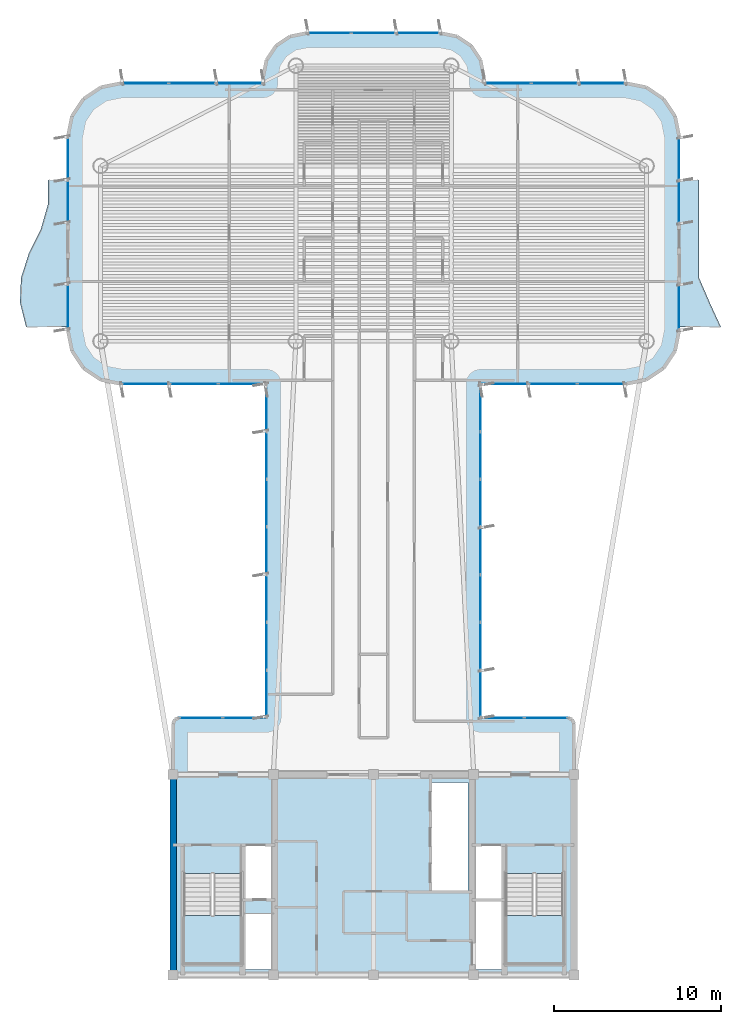
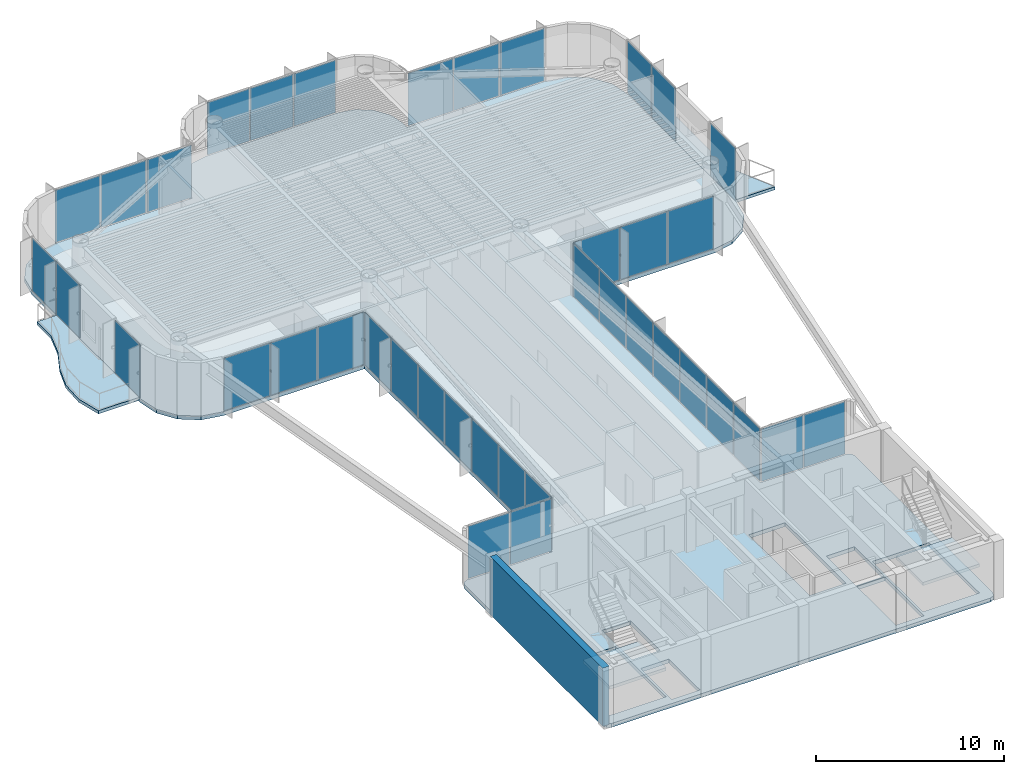
# One storey, part 9 of 16: 39 plates, 5 slabs, 1 wall, 15 elements without a shape of their own.
"""IFC4 building model written with IfcOpenShell, lengths in metres."""

import ifcopenshell
import ifcopenshell.guid

model = None  # the IFC model being written
_history = None  # IfcOwnerHistory: only IFC2X3 demands one
_inside = {}  # id of a spatial element -> (the spatial element, [elements in it])
_under = {}  # id of a project, library or spatial element -> (it, [spatial elements below it])
_declared = {}  # id of a project -> (the project, [libraries it declares])
_typed = {}  # id of a type object -> (the type object, [elements of that type])
_made_of = {}  # id of a material, layer set ... -> (it, [elements and type objects made of it])


def new_model(schema):
    """Start an empty IFC model of exactly this schema.

    Asked for "IFC4X3", IfcOpenShell would pick the latest addendum, in which some entities
    have other attributes; the version numbers below select the first issue.
    IFC2X3 requires an IfcOwnerHistory on every rooted entity: one is made here for all.
    """
    global model, _history
    if schema == "IFC4X3":
        model = ifcopenshell.file(schema_version=(4, 3, 0, 0))
    else:
        model = ifcopenshell.file(schema=schema)
    _inside.clear()
    _under.clear()
    _declared.clear()
    _typed.clear()
    _made_of.clear()
    _history = None
    if model.schema == "IFC2X3":
        org = make("IfcOrganization", Name="unknown")
        user = make(
            "IfcPersonAndOrganization",
            ThePerson=make("IfcPerson", FamilyName="unknown"),
            TheOrganization=org,
        )
        app = make(
            "IfcApplication",
            ApplicationDeveloper=org,
            Version="unknown",
            ApplicationFullName="unknown",
            ApplicationIdentifier="unknown",
        )
        _history = make(
            "IfcOwnerHistory",
            OwningUser=user,
            OwningApplication=app,
            ChangeAction="ADDED",
            CreationDate=0,
        )
    return model


def make(cls, **values):
    """One entity of the class cls with the attributes given. An attribute that is None is left unset."""
    return model.create_entity(
        cls, **{name: value for name, value in values.items() if value is not None}
    )


def rooted(cls, **values):
    """An entity with a GlobalId (a new one), such as an element, a storey or a relation."""
    return make(cls, GlobalId=ifcopenshell.guid.new(), OwnerHistory=_history, **values)


def si_unit(unit_type, name, prefix=None):
    """IfcSIUnit, for example si_unit("LENGTHUNIT", "METRE", prefix="MILLI")."""
    return make("IfcSIUnit", UnitType=unit_type, Prefix=prefix, Name=name)


def assignment(units):
    """IfcUnitAssignment: the units of a project."""
    return None if units is None else make("IfcUnitAssignment", Units=units)


def point(xyz):
    """IfcCartesianPoint."""
    return None if xyz is None else make("IfcCartesianPoint", Coordinates=xyz)


def direction(xyz):
    """IfcDirection."""
    return None if xyz is None else make("IfcDirection", DirectionRatios=xyz)


def frame(location, z_axis=None, x_axis=None):
    """IfcAxis2Placement3D, a coordinate frame: its origin and axes. An axis left out is left unset."""
    return make(
        "IfcAxis2Placement3D",
        Location=point(location),
        Axis=direction(z_axis),
        RefDirection=direction(x_axis),
    )


def frame_2d(location, x_axis=None):
    """IfcAxis2Placement2D, a coordinate frame in the plane: its origin and x axis."""
    return make(
        "IfcAxis2Placement2D", Location=point(location), RefDirection=direction(x_axis)
    )


def origin():
    """The frame at (0, 0, 0) with its axes left unset."""
    return frame((0.0, 0.0, 0.0))


def origin_2d():
    """The frame at (0, 0) in the plane with its x axis left unset."""
    return frame_2d((0.0, 0.0))


def place(relative_to, where):
    """IfcLocalPlacement: puts the frame where relative to a parent placement (None: the world)."""
    return make(
        "IfcLocalPlacement", PlacementRelTo=relative_to, RelativePlacement=where
    )


def context(
    kind, dimensions, precision=None, world=None, true_north=None, identifier=None
):
    """IfcGeometricRepresentationContext, for example the 3D "Model" context."""
    return make(
        "IfcGeometricRepresentationContext",
        ContextIdentifier=identifier,
        ContextType=kind,
        CoordinateSpaceDimension=dimensions,
        Precision=precision,
        WorldCoordinateSystem=world,
        TrueNorth=true_north,
    )


def subcontext(parent, identifier, kind, view, scale=None):
    """IfcGeometricRepresentationSubContext, for example "Body" below "Model"."""
    return make(
        "IfcGeometricRepresentationSubContext",
        ContextIdentifier=identifier,
        ContextType=kind,
        ParentContext=parent,
        TargetScale=scale,
        TargetView=view,
    )


def project(units=None, contexts=None):
    """IfcProject with its units and contexts."""
    return rooted(
        "IfcProject",
        Name="project",
        RepresentationContexts=contexts,
        UnitsInContext=assignment(units),
    )


def spatial(cls, under=None, at=None, **own):
    """A site, building, storey or space (cls), placed at a placement, below another one or the project."""
    s = rooted(cls, ObjectPlacement=at, **own)
    if under is not None:
        _under.setdefault(under.id(), (under, []))[1].append(s)
    return s


def polyline(points):
    """IfcPolyline through the points."""
    return make("IfcPolyline", Points=[point(p) for p in points])


def profile(cls, at=None, kind="AREA", **sizes):
    """A parametric profile (cls). Its sizes go by their IFC names, for example OverallWidth=200.0."""
    return make(cls, ProfileType=kind, Position=at, **sizes)


def rectangle(**sizes):
    """IfcRectangleProfileDef."""
    return profile("IfcRectangleProfileDef", **sizes)


def outline(outer, holes=None, kind="AREA"):
    """IfcArbitraryClosedProfileDef: a profile drawn as a closed curve; with holes, ...WithVoids."""
    if holes is None:
        return make("IfcArbitraryClosedProfileDef", ProfileType=kind, OuterCurve=outer)
    return make(
        "IfcArbitraryProfileDefWithVoids",
        ProfileType=kind,
        OuterCurve=outer,
        InnerCurves=holes,
    )


def extrude(swept, where, along, depth):
    """IfcExtrudedAreaSolid: the profile swept, set in the frame where, extruded along a direction by depth."""
    return make(
        "IfcExtrudedAreaSolid",
        SweptArea=swept,
        Position=where,
        ExtrudedDirection=direction(along),
        Depth=depth,
    )


def shape(context_of_items, identifier, shape_type, items):
    """IfcShapeRepresentation: the items that make up one representation, for example the "Body"."""
    return make(
        "IfcShapeRepresentation",
        ContextOfItems=context_of_items,
        RepresentationIdentifier=identifier,
        RepresentationType=shape_type,
        Items=items,
    )


def source(mapping_origin, context_of_items, identifier, shape_type, items):
    """IfcRepresentationMap: a shape defined once, which mapped items show again and again."""
    return make(
        "IfcRepresentationMap",
        MappingOrigin=mapping_origin,
        MappedRepresentation=shape(context_of_items, identifier, shape_type, items),
    )


def transform(
    local_origin,
    x_axis=None,
    y_axis=None,
    z_axis=None,
    scale=None,
    scale2=None,
    scale3=None,
    uniform=True,
):
    """IfcCartesianTransformationOperator3D, or its non-uniform kind. x_axis, y_axis, z_axis: its Axis1, 2, 3."""
    if uniform:
        return make(
            "IfcCartesianTransformationOperator3D",
            Axis1=direction(x_axis),
            Axis2=direction(y_axis),
            LocalOrigin=point(local_origin),
            Scale=scale,
            Axis3=direction(z_axis),
        )
    return make(
        "IfcCartesianTransformationOperator3DnonUniform",
        Axis1=direction(x_axis),
        Axis2=direction(y_axis),
        LocalOrigin=point(local_origin),
        Scale=scale,
        Axis3=direction(z_axis),
        Scale2=scale2,
        Scale3=scale3,
    )


def mapped(mapping_source, mapping_target):
    """IfcMappedItem: shows the shape of a source again, moved by a transform."""
    return make(
        "IfcMappedItem", MappingSource=mapping_source, MappingTarget=mapping_target
    )


def material(Name=None, Category=None):
    """IfcMaterial."""
    return make("IfcMaterial", Name=Name, Category=Category)


def layer(
    of_material, thickness, ventilated=None, Name=None, Category=None, Priority=None
):
    """IfcMaterialLayer: one layer of a wall or slab, of a material (None: an air gap)."""
    return make(
        "IfcMaterialLayer",
        Material=of_material,
        LayerThickness=thickness,
        IsVentilated=ventilated,
        Name=Name,
        Category=Category,
        Priority=Priority,
    )


def layer_set(layers, Name=None):
    """IfcMaterialLayerSet."""
    return make("IfcMaterialLayerSet", MaterialLayers=layers, LayerSetName=Name)


def made_of(thing, what):
    """Note that an element or type object is made of a material, layer set ...; save() writes the relation."""
    if what is not None:
        _made_of.setdefault(what.id(), (what, []))[1].append(thing)
    return thing


def type_object(cls, material=None, **own):
    """A type object (cls), such as IfcWallType, which elements share."""
    return made_of(rooted(cls, **own), material)


def element(
    cls,
    number,
    at=None,
    inside=None,
    cuts=None,
    type_object=None,
    material=None,
    context=None,
    identifier="Body",
    shape_type=None,
    held_by="IfcProductDefinitionShape",
    body=None,
    shapes=None,
    **own,
):
    """One element of the class cls, such as IfcWall. Its Tag is "e" and its number.

    at: its placement. inside: the storey or other place that contains it. cuts: it is an
    opening in that element (IfcRelVoidsElement). A single representation is given by context,
    identifier, shape_type and body (its items); several are given by shapes. held_by: the class
    of the entity that holds the representations. save() writes the other relations.
    """
    e = rooted(cls, Tag="e%d" % number, ObjectPlacement=at, **own)
    if body is not None:
        shapes = [shape(context, identifier, shape_type, body)]
    if shapes is not None:
        e.Representation = make(held_by, Representations=shapes)
    if inside is not None:
        _inside.setdefault(inside.id(), (inside, []))[1].append(e)
    if cuts is not None:
        rooted(
            "IfcRelVoidsElement", RelatingBuildingElement=cuts, RelatedOpeningElement=e
        )
    if type_object is not None:
        _typed.setdefault(type_object.id(), (type_object, []))[1].append(e)
    return made_of(e, material)


def aggregate(whole, parts):
    """IfcRelAggregates: a whole, such as a stair, and the parts it consists of."""
    return rooted("IfcRelAggregates", RelatingObject=whole, RelatedObjects=parts)


def save(model, path):
    """Write the relations noted so far, then the file.

    IfcRelAggregates (storeys below a building ...), IfcRelContainedInSpatialStructure (elements
    in a storey), IfcRelDefinesByType, IfcRelAssociatesMaterial and IfcRelDeclares: one each for
    every whole, place, type object, material and project.
    """
    for whole, parts in _under.values():
        aggregate(whole, parts)
    for where, things in _inside.values():
        rooted(
            "IfcRelContainedInSpatialStructure",
            RelatedElements=things,
            RelatingStructure=where,
        )
    for kind, things in _typed.values():
        rooted("IfcRelDefinesByType", RelatedObjects=things, RelatingType=kind)
    for what, things in _made_of.values():
        rooted("IfcRelAssociatesMaterial", RelatedObjects=things, RelatingMaterial=what)
    for by, libraries in _declared.values():
        rooted("IfcRelDeclares", RelatingContext=by, RelatedDefinitions=libraries)
    model.write(path)


model = new_model("IFC4")

# Units and contexts
model_context = context("Model", 3, precision=1e-05, world=origin(), true_north=direction((0.0, 1.0)))
body_context = subcontext(model_context, "Body", "Model", "MODEL_VIEW")
ifc_project = project(units=[si_unit("LENGTHUNIT", "METRE"), si_unit("AREAUNIT", "SQUARE_METRE"), si_unit("VOLUMEUNIT", "CUBIC_METRE"), si_unit("PLANEANGLEUNIT", "RADIAN"), si_unit("MASSUNIT", "GRAM", prefix="KILO")], contexts=[model_context])

# Site, building, storey
site_placement = place(None, origin())
site = spatial("IfcSite", under=ifc_project, at=site_placement, CompositionType="ELEMENT")
building_placement = place(site_placement, origin())
building = spatial("IfcBuilding", under=site, at=building_placement, Name="Brelvock Crest Care Tower", CompositionType="ELEMENT")
storey_placement = place(building_placement, frame((0.0, 0.0, 238.139892578125)))
storey = spatial("IfcBuildingStorey", under=building, at=storey_placement, Name="L60", CompositionType="ELEMENT", Elevation=238.139892578125)

# Slabs
ifc_material_1 = material(Name="Concrete N50 (50 MPa)", Category="concrete")
ifc_layer_1 = layer(ifc_material_1, 0.25, Name="SLB-FL3")
ifc_layer_set_1 = layer_set([ifc_layer_1], Name="Concrete N50 (50 MPa)")
slab_type_1 = type_object("IfcSlabType", Name="SLB-FL3", PredefinedType="FLOOR", material=ifc_layer_set_1)
slab_1_placement = place(storey_placement, frame((0.0, 0.0, -0.25)))
element("IfcSlab", 1, at=slab_1_placement, inside=storey, type_object=slab_type_1, Name="L60 Main Structural Slab", PredefinedType="FLOOR", context=body_context, shape_type="SweptSolid", body=[
    extrude(outline(polyline([(47.64990234375, 21.39990234375), (42.39990234375, 21.39990234375), (42.39990234375, 41.39990234375), (51.10009765625, 41.39990234375), (52.32470703125, 41.6435546875), (53.36279296875, 42.33740234375), (54.056396484375, 43.37548828125), (54.300048828125, 44.60009765625), (54.300048828125, 56.199951171875), (54.056396484375, 57.424560546875), (53.36279296875, 58.462646484375), (52.32470703125, 59.156494140625), (51.10009765625, 59.39990234375), (42.60009765625, 59.39990234375), (42.60009765625, 59.800048828125), (42.402099609375, 60.794921875), (41.83837890625, 61.638427734375), (40.9951171875, 62.2021484375), (40.0, 62.39990234375), (32.0, 62.39990234375), (31.0048828125, 62.2021484375), (30.16162109375, 61.638427734375), (29.597900390625, 60.794921875), (29.39990234375, 59.800048828125), (29.39990234375, 59.39990234375), (20.89990234375, 59.39990234375), (19.67529296875, 59.156494140625), (18.63720703125, 58.462646484375), (17.943603515625, 57.424560546875), (17.699951171875, 56.199951171875), (17.699951171875, 44.60009765625), (17.943603515625, 43.37548828125), (18.63720703125, 42.33740234375), (19.67529296875, 41.6435546875), (20.89990234375, 41.39990234375), (29.60009765625, 41.39990234375), (29.60009765625, 21.39990234375), (24.35009765625, 21.39990234375), (24.1025390625, 21.297607421875), (24.0, 21.050048828125), (24.0, 6.35009765625), (24.1025390625, 6.1025390625), (24.35009765625, 6.0), (47.64990234375, 6.0), (47.8974609375, 6.1025390625), (48.0, 6.35009765625), (48.0, 21.050048828125), (47.8974609375, 21.297607421875), (47.64990234375, 21.39990234375)]), holes=[polyline([(28.239990234375, 10.580078125), (29.97998046875, 10.580078125), (29.97998046875, 13.739990234375), (28.239990234375, 13.739990234375), (28.239990234375, 10.580078125)]), polyline([(42.02001953125, 10.580078125), (43.760009765625, 10.580078125), (43.760009765625, 13.739990234375), (42.02001953125, 13.739990234375), (42.02001953125, 10.580078125)]), polyline([(28.239990234375, 6.340087890625), (29.97998046875, 6.340087890625), (29.97998046875, 9.64990234375), (28.239990234375, 9.64990234375), (28.239990234375, 6.340087890625)]), polyline([(24.6298828125, 12.080078125), (24.6298828125, 6.699951171875), (28.110107421875, 6.699951171875), (28.110107421875, 12.080078125), (24.6298828125, 12.080078125)]), polyline([(43.889892578125, 12.080078125), (43.889892578125, 6.699951171875), (47.3701171875, 6.699951171875), (47.3701171875, 12.080078125), (43.889892578125, 12.080078125)]), polyline([(42.02001953125, 6.340087890625), (43.760009765625, 6.340087890625), (43.760009765625, 10.5), (42.02001953125, 10.5), (42.02001953125, 6.340087890625)]), polyline([(39.429931640625, 11.030029296875), (41.669921875, 11.030029296875), (41.669921875, 17.52001953125), (39.429931640625, 17.52001953125), (39.429931640625, 11.030029296875)])]), origin(), (0.0, 0.0, 1.0), 0.25),
])
ifc_layer_2 = layer(ifc_material_1, 0.199951171875, Name="SLB-WB2")
ifc_layer_set_2 = layer_set([ifc_layer_2], Name="Concrete N50 (50 MPa)")
slab_type_2 = type_object("IfcSlabType", Name="SLB-WB2", PredefinedType="FLOOR", material=ifc_layer_set_2)
slab_2_placement = place(storey_placement, frame((0.0, 0.0, -0.199951171875)))
element("IfcSlab", 2, at=slab_2_placement, inside=storey, type_object=slab_type_2, Name="L60 W Sinusoidal Wave Balcony Slab", PredefinedType="FLOOR", context=body_context, shape_type="SweptSolid", body=[
    extrude(outline(polyline([(17.699951171875, 53.60009765625), (16.5, 53.60009765625), (16.5, 52.13330078125), (16.079345703125, 50.666748046875), (15.3564453125, 49.199951171875), (14.8896484375, 47.7333984375), (14.82958984375, 46.2666015625), (15.1953125, 44.800048828125), (17.699951171875, 44.800048828125), (17.699951171875, 53.60009765625)])), origin(), (0.0, 0.0, 1.0), 0.199951171875),
])
slab_3_placement = place(storey_placement, frame((0.0, 0.0, -0.199951171875)))
element("IfcSlab", 3, at=slab_3_placement, inside=storey, type_object=slab_type_2, Name="L60 E Sinusoidal Wave Balcony Slab", PredefinedType="FLOOR", context=body_context, shape_type="SweptSolid", body=[
    extrude(outline(polyline([(54.300048828125, 44.800048828125), (56.8046875, 44.800048828125), (56.130615234375, 46.2666015625), (55.5, 47.7333984375), (55.5, 49.199951171875), (55.5, 50.666748046875), (55.5, 52.13330078125), (55.5, 53.60009765625), (54.300048828125, 53.60009765625), (54.300048828125, 44.800048828125)])), origin(), (0.0, 0.0, 1.0), 0.199951171875),
])

# Stair, slab
ifc_material_2 = material(Name="Concrete N40 (40 MPa)", Category="concrete")
stair_type = type_object("IfcStairType", Name="ST-CORE1", PredefinedType="HALF_TURN_STAIR", material=ifc_material_2)
stair_1_placement = place(storey_placement, origin())
stair_1 = element("IfcStair", 4, at=stair_1_placement, inside=storey, type_object=stair_type, Name="L60 Fire-Isolated Core Stair ST-1", PredefinedType="HALF_TURN_STAIR")
ifc_layer_3 = layer(ifc_material_2, 0.199951171875, Name="STL-1")
ifc_layer_set_3 = layer_set([ifc_layer_3], Name="Concrete N40 (40 MPa)")
slab_type_3 = type_object("IfcSlabType", Name="STL-1", PredefinedType="LANDING", material=ifc_layer_set_3)
slab_4_placement = place(storey_placement, frame((0.0, 0.0, 1.690185546875)))
slab_4 = element("IfcSlab", 5, at=slab_4_placement, type_object=slab_type_3, Name="ST-1 landing 1", PredefinedType="LANDING", context=body_context, shape_type="SweptSolid", body=[
    extrude(outline(polyline([(24.6298828125, 9.56005859375), (24.6298828125, 6.699951171875), (28.110107421875, 6.699951171875), (28.110107421875, 9.56005859375), (24.6298828125, 9.56005859375)])), origin(), (0.0, 0.0, 1.0), 0.199951171875),
])
aggregate(stair_1, [slab_4])

stair_2_placement = place(storey_placement, origin())
stair_2 = element("IfcStair", 6, at=stair_2_placement, inside=storey, type_object=stair_type, Name="L60 Fire-Isolated Core Stair ST-2", PredefinedType="HALF_TURN_STAIR")
slab_5_placement = place(storey_placement, frame((0.0, 0.0, 1.690185546875)))
slab_5 = element("IfcSlab", 7, at=slab_5_placement, type_object=slab_type_3, Name="ST-2 landing 1", PredefinedType="LANDING", context=body_context, shape_type="SweptSolid", body=[
    extrude(outline(polyline([(43.889892578125, 9.56005859375), (43.889892578125, 6.699951171875), (47.3701171875, 6.699951171875), (47.3701171875, 9.56005859375), (43.889892578125, 9.56005859375)])), origin(), (0.0, 0.0, 1.0), 0.199951171875),
])
aggregate(stair_2, [slab_5])

# Curtain wall, plates
ifc_material_3 = material(Name="Dark Glass Double Glazed Low-E", Category="glass")
ifc_layer_4 = layer(ifc_material_3, 0.239990234375, Name="CWS-5")
ifc_layer_set_4 = layer_set([ifc_layer_4], Name="Dark Glass Double Glazed Low-E")
curtain_wall_type = type_object("IfcCurtainWallType", Name="CWS-5", PredefinedType="NOTDEFINED", material=ifc_layer_set_4)
curtain_wall_1_placement = place(storey_placement, origin())
curtain_wall_1 = element("IfcCurtainWall", 8, at=curtain_wall_1_placement, inside=storey, type_object=curtain_wall_type, Name="L60 Curtain Wall E10", PredefinedType="NOTDEFINED")
ifc_layer_5 = layer(ifc_material_3, 0.0380859375, Name="CWP-V2")
ifc_layer_set_5 = layer_set([ifc_layer_5], Name="Dark Glass Double Glazed Low-E")
plate_type = type_object("IfcPlateType", Name="CWP-V2", PredefinedType="CURTAIN_PANEL", material=ifc_layer_set_5)
shared_shape_1 = source(origin(), body_context, "Body", "SweptSolid", [
    extrude(rectangle(XDim=2.534912109375, YDim=0.035888671875, at=origin_2d()), origin(), (0.0, 0.0, 1.0), 3.409912109375),
])
plate_1_placement = place(storey_placement, frame((25.677490234375, 21.39990234375, 0.06005859375), z_axis=(0.0, 0.0, 1.0), x_axis=(1.0, 0.0, 0.0)))
plate_1 = element("IfcPlate", 9, at=plate_1_placement, type_object=plate_type, Name="CW-5 panel 1.1", PredefinedType="CURTAIN_PANEL", context=body_context, shape_type="MappedRepresentation", body=[
    mapped(shared_shape_1, transform((0.0, 0.0, 0.0), x_axis=(1.0, 0.0, 0.0), y_axis=(0.0, 1.0, 0.0), z_axis=(0.0, 0.0, 1.0), scale=1.0)),
])
plate_2_placement = place(storey_placement, frame((28.2724609375, 21.39990234375, 0.06005859375), z_axis=(0.0, 0.0, 1.0), x_axis=(1.0, 0.0, 0.0)))
plate_2 = element("IfcPlate", 10, at=plate_2_placement, type_object=plate_type, Name="CW-5 panel 2.1", PredefinedType="CURTAIN_PANEL", context=body_context, shape_type="MappedRepresentation", body=[
    mapped(shared_shape_1, transform((0.0, 0.0, 0.0), x_axis=(1.0, 0.0, 0.0), y_axis=(0.0, 1.0, 0.0), z_axis=(0.0, 0.0, 1.0), scale=1.0)),
])
aggregate(curtain_wall_1, [plate_1, plate_2])

curtain_wall_2_placement = place(storey_placement, origin())
curtain_wall_2 = element("IfcCurtainWall", 11, at=curtain_wall_2_placement, inside=storey, type_object=curtain_wall_type, Name="L60 Curtain Wall E46", PredefinedType="NOTDEFINED")
plate_3_placement = place(storey_placement, frame((43.7275390625, 21.39990234375, 0.06005859375), z_axis=(0.0, 0.0, 1.0), x_axis=(1.0, 0.0, 0.0)))
plate_3 = element("IfcPlate", 12, at=plate_3_placement, type_object=plate_type, Name="CW-5 panel 1.1", PredefinedType="CURTAIN_PANEL", context=body_context, shape_type="MappedRepresentation", body=[
    mapped(shared_shape_1, transform((0.0, 0.0, 0.0), x_axis=(1.0, 0.0, 0.0), y_axis=(0.0, 1.0, 0.0), z_axis=(0.0, 0.0, 1.0), scale=1.0)),
])
plate_4_placement = place(storey_placement, frame((46.322509765625, 21.39990234375, 0.06005859375), z_axis=(0.0, 0.0, 1.0), x_axis=(1.0, 0.0, 0.0)))
plate_4 = element("IfcPlate", 13, at=plate_4_placement, type_object=plate_type, Name="CW-5 panel 2.1", PredefinedType="CURTAIN_PANEL", context=body_context, shape_type="MappedRepresentation", body=[
    mapped(shared_shape_1, transform((0.0, 0.0, 0.0), x_axis=(1.0, 0.0, 0.0), y_axis=(0.0, 1.0, 0.0), z_axis=(0.0, 0.0, 1.0), scale=1.0)),
])
aggregate(curtain_wall_2, [plate_3, plate_4])

curtain_wall_3_placement = place(storey_placement, origin())
curtain_wall_3 = element("IfcCurtainWall", 14, at=curtain_wall_3_placement, inside=storey, type_object=curtain_wall_type, Name="L60 Curtain Wall E17B", PredefinedType="NOTDEFINED")
shared_shape_2 = source(origin(), body_context, "Body", "SweptSolid", [
    extrude(rectangle(XDim=2.510009765625, YDim=0.035888671875, at=origin_2d()), origin(), (0.0, 0.0, 1.0), 3.409912109375),
])
plate_5_placement = place(storey_placement, frame((17.699951171875, 52.31494140625, 0.06005859375), z_axis=(0.0, 0.0, 1.0), x_axis=(0.0, 1.0, 0.0)))
plate_5 = element("IfcPlate", 15, at=plate_5_placement, type_object=plate_type, Name="CW-5 panel 1.1", PredefinedType="CURTAIN_PANEL", context=body_context, shape_type="MappedRepresentation", body=[
    mapped(shared_shape_2, transform((0.0, 0.0, 0.0), x_axis=(1.0, 0.0, 0.0), y_axis=(0.0, 1.0, 0.0), z_axis=(0.0, 0.0, 1.0), scale=1.0)),
])
plate_6_placement = place(storey_placement, frame((17.699951171875, 54.885009765625, 0.06005859375), z_axis=(0.0, 0.0, 1.0), x_axis=(0.0, 1.0, 0.0)))
plate_6 = element("IfcPlate", 16, at=plate_6_placement, type_object=plate_type, Name="CW-5 panel 2.1", PredefinedType="CURTAIN_PANEL", context=body_context, shape_type="MappedRepresentation", body=[
    mapped(shared_shape_2, transform((0.0, 0.0, 0.0), x_axis=(1.0, 0.0, 0.0), y_axis=(0.0, 1.0, 0.0), z_axis=(0.0, 0.0, 1.0), scale=1.0)),
])
aggregate(curtain_wall_3, [plate_5, plate_6])

curtain_wall_4_placement = place(storey_placement, origin())
curtain_wall_4 = element("IfcCurtainWall", 17, at=curtain_wall_4_placement, inside=storey, type_object=curtain_wall_type, Name="L60 Curtain Wall E39A", PredefinedType="NOTDEFINED")
plate_7_placement = place(storey_placement, frame((54.300048828125, 54.885009765625, 0.06005859375), z_axis=(0.0, 0.0, 1.0), x_axis=(0.0, -1.0, 0.0)))
plate_7 = element("IfcPlate", 18, at=plate_7_placement, type_object=plate_type, Name="CW-5 panel 1.1", PredefinedType="CURTAIN_PANEL", context=body_context, shape_type="MappedRepresentation", body=[
    mapped(shared_shape_2, transform((0.0, 0.0, 0.0), x_axis=(1.0, 0.0, 0.0), y_axis=(0.0, 1.0, 0.0), z_axis=(0.0, 0.0, 1.0), scale=1.0)),
])
plate_8_placement = place(storey_placement, frame((54.300048828125, 52.31494140625, 0.06005859375), z_axis=(0.0, 0.0, 1.0), x_axis=(0.0, -1.0, 0.0)))
plate_8 = element("IfcPlate", 19, at=plate_8_placement, type_object=plate_type, Name="CW-5 panel 2.1", PredefinedType="CURTAIN_PANEL", context=body_context, shape_type="MappedRepresentation", body=[
    mapped(shared_shape_2, transform((0.0, 0.0, 0.0), x_axis=(1.0, 0.0, 0.0), y_axis=(0.0, 1.0, 0.0), z_axis=(0.0, 0.0, 1.0), scale=1.0)),
])
aggregate(curtain_wall_4, [plate_7, plate_8])

curtain_wall_5_placement = place(storey_placement, origin())
curtain_wall_5 = element("IfcCurtainWall", 20, at=curtain_wall_5_placement, inside=storey, type_object=curtain_wall_type, Name="L60 Curtain Wall E11", PredefinedType="NOTDEFINED")
shared_shape_3 = source(origin(), body_context, "Body", "SweptSolid", [
    extrude(rectangle(XDim=2.76708984375, YDim=0.035888671875, at=origin_2d()), origin(), (0.0, 0.0, 1.0), 3.409912109375),
])
plate_9_placement = place(storey_placement, frame((29.60009765625, 22.843505859375, 0.06005859375), z_axis=(0.0, 0.0, 1.0), x_axis=(0.0, 1.0, 0.0)))
plate_9 = element("IfcPlate", 21, at=plate_9_placement, type_object=plate_type, Name="CW-5 panel 1.1", PredefinedType="CURTAIN_PANEL", context=body_context, shape_type="MappedRepresentation", body=[
    mapped(shared_shape_3, transform((0.0, 0.0, 0.0), x_axis=(1.0, 0.0, 0.0), y_axis=(0.0, 1.0, 0.0), z_axis=(0.0, 0.0, 1.0), scale=1.0)),
])
plate_10_placement = place(storey_placement, frame((29.60009765625, 39.95654296875, 0.06005859375), z_axis=(0.0, 0.0, 1.0), x_axis=(0.0, 1.0, 0.0)))
plate_10 = element("IfcPlate", 22, at=plate_10_placement, type_object=plate_type, Name="CW-5 panel 7.1", PredefinedType="CURTAIN_PANEL", context=body_context, shape_type="MappedRepresentation", body=[
    mapped(shared_shape_3, transform((0.0, 0.0, 0.0), x_axis=(1.0, 0.0, 0.0), y_axis=(0.0, 1.0, 0.0), z_axis=(0.0, 0.0, 1.0), scale=1.0)),
])

curtain_wall_6_placement = place(storey_placement, origin())
curtain_wall_6 = element("IfcCurtainWall", 23, at=curtain_wall_6_placement, inside=storey, type_object=curtain_wall_type, Name="L60 Curtain Wall E45", PredefinedType="NOTDEFINED")
plate_11_placement = place(storey_placement, frame((42.39990234375, 39.95654296875, 0.06005859375), z_axis=(0.0, 0.0, 1.0), x_axis=(0.0, -1.0, 0.0)))
plate_11 = element("IfcPlate", 24, at=plate_11_placement, type_object=plate_type, Name="CW-5 panel 1.1", PredefinedType="CURTAIN_PANEL", context=body_context, shape_type="MappedRepresentation", body=[
    mapped(shared_shape_3, transform((0.0, 0.0, 0.0), x_axis=(1.0, 0.0, 0.0), y_axis=(0.0, 1.0, 0.0), z_axis=(0.0, 0.0, 1.0), scale=1.0)),
])
plate_12_placement = place(storey_placement, frame((42.39990234375, 22.843505859375, 0.06005859375), z_axis=(0.0, 0.0, 1.0), x_axis=(0.0, -1.0, 0.0)))
plate_12 = element("IfcPlate", 25, at=plate_12_placement, type_object=plate_type, Name="CW-5 panel 7.1", PredefinedType="CURTAIN_PANEL", context=body_context, shape_type="MappedRepresentation", body=[
    mapped(shared_shape_3, transform((0.0, 0.0, 0.0), x_axis=(1.0, 0.0, 0.0), y_axis=(0.0, 1.0, 0.0), z_axis=(0.0, 0.0, 1.0), scale=1.0)),
])

# Plate
shared_shape_4 = source(origin(), body_context, "Body", "SweptSolid", [
    extrude(rectangle(XDim=2.797119140625, YDim=0.035888671875, at=origin_2d()), origin(), (0.0, 0.0, 1.0), 3.409912109375),
])
plate_13_placement = place(storey_placement, frame((29.60009765625, 25.685791015625, 0.06005859375), z_axis=(0.0, 0.0, 1.0), x_axis=(0.0, 1.0, 0.0)))
plate_13 = element("IfcPlate", 26, at=plate_13_placement, type_object=plate_type, Name="CW-5 panel 2.1", PredefinedType="CURTAIN_PANEL", context=body_context, shape_type="MappedRepresentation", body=[
    mapped(shared_shape_4, transform((0.0, 0.0, 0.0), x_axis=(1.0, 0.0, 0.0), y_axis=(0.0, 1.0, 0.0), z_axis=(0.0, 0.0, 1.0), scale=1.0)),
])

plate_14_placement = place(storey_placement, frame((29.60009765625, 28.54296875, 0.06005859375), z_axis=(0.0, 0.0, 1.0), x_axis=(0.0, 1.0, 0.0)))
plate_14 = element("IfcPlate", 27, at=plate_14_placement, type_object=plate_type, Name="CW-5 panel 3.1", PredefinedType="CURTAIN_PANEL", context=body_context, shape_type="MappedRepresentation", body=[
    mapped(shared_shape_4, transform((0.0, 0.0, 0.0), x_axis=(1.0, 0.0, 0.0), y_axis=(0.0, 1.0, 0.0), z_axis=(0.0, 0.0, 1.0), scale=1.0)),
])

plate_15_placement = place(storey_placement, frame((29.60009765625, 31.39990234375, 0.06005859375), z_axis=(0.0, 0.0, 1.0), x_axis=(0.0, 1.0, 0.0)))
plate_15 = element("IfcPlate", 28, at=plate_15_placement, type_object=plate_type, Name="CW-5 panel 4.1", PredefinedType="CURTAIN_PANEL", context=body_context, shape_type="MappedRepresentation", body=[
    mapped(shared_shape_4, transform((0.0, 0.0, 0.0), x_axis=(1.0, 0.0, 0.0), y_axis=(0.0, 1.0, 0.0), z_axis=(0.0, 0.0, 1.0), scale=1.0)),
])

plate_16_placement = place(storey_placement, frame((29.60009765625, 34.257080078125, 0.06005859375), z_axis=(0.0, 0.0, 1.0), x_axis=(0.0, 1.0, 0.0)))
plate_16 = element("IfcPlate", 29, at=plate_16_placement, type_object=plate_type, Name="CW-5 panel 5.1", PredefinedType="CURTAIN_PANEL", context=body_context, shape_type="MappedRepresentation", body=[
    mapped(shared_shape_4, transform((0.0, 0.0, 0.0), x_axis=(1.0, 0.0, 0.0), y_axis=(0.0, 1.0, 0.0), z_axis=(0.0, 0.0, 1.0), scale=1.0)),
])

plate_17_placement = place(storey_placement, frame((29.60009765625, 37.1142578125, 0.06005859375), z_axis=(0.0, 0.0, 1.0), x_axis=(0.0, 1.0, 0.0)))
plate_17 = element("IfcPlate", 30, at=plate_17_placement, type_object=plate_type, Name="CW-5 panel 6.1", PredefinedType="CURTAIN_PANEL", context=body_context, shape_type="MappedRepresentation", body=[
    mapped(shared_shape_4, transform((0.0, 0.0, 0.0), x_axis=(1.0, 0.0, 0.0), y_axis=(0.0, 1.0, 0.0), z_axis=(0.0, 0.0, 1.0), scale=1.0)),
])

aggregate(curtain_wall_5, [plate_9, plate_13, plate_14, plate_15, plate_16, plate_17, plate_10])

plate_18_placement = place(storey_placement, frame((42.39990234375, 37.1142578125, 0.06005859375), z_axis=(0.0, 0.0, 1.0), x_axis=(0.0, -1.0, 0.0)))
plate_18 = element("IfcPlate", 31, at=plate_18_placement, type_object=plate_type, Name="CW-5 panel 2.1", PredefinedType="CURTAIN_PANEL", context=body_context, shape_type="MappedRepresentation", body=[
    mapped(shared_shape_4, transform((0.0, 0.0, 0.0), x_axis=(1.0, 0.0, 0.0), y_axis=(0.0, 1.0, 0.0), z_axis=(0.0, 0.0, 1.0), scale=1.0)),
])

plate_19_placement = place(storey_placement, frame((42.39990234375, 34.257080078125, 0.06005859375), z_axis=(0.0, 0.0, 1.0), x_axis=(0.0, -1.0, 0.0)))
plate_19 = element("IfcPlate", 32, at=plate_19_placement, type_object=plate_type, Name="CW-5 panel 3.1", PredefinedType="CURTAIN_PANEL", context=body_context, shape_type="MappedRepresentation", body=[
    mapped(shared_shape_4, transform((0.0, 0.0, 0.0), x_axis=(1.0, 0.0, 0.0), y_axis=(0.0, 1.0, 0.0), z_axis=(0.0, 0.0, 1.0), scale=1.0)),
])

plate_20_placement = place(storey_placement, frame((42.39990234375, 31.39990234375, 0.06005859375), z_axis=(0.0, 0.0, 1.0), x_axis=(0.0, -1.0, 0.0)))
plate_20 = element("IfcPlate", 33, at=plate_20_placement, type_object=plate_type, Name="CW-5 panel 4.1", PredefinedType="CURTAIN_PANEL", context=body_context, shape_type="MappedRepresentation", body=[
    mapped(shared_shape_4, transform((0.0, 0.0, 0.0), x_axis=(1.0, 0.0, 0.0), y_axis=(0.0, 1.0, 0.0), z_axis=(0.0, 0.0, 1.0), scale=1.0)),
])

plate_21_placement = place(storey_placement, frame((42.39990234375, 28.54296875, 0.06005859375), z_axis=(0.0, 0.0, 1.0), x_axis=(0.0, -1.0, 0.0)))
plate_21 = element("IfcPlate", 34, at=plate_21_placement, type_object=plate_type, Name="CW-5 panel 5.1", PredefinedType="CURTAIN_PANEL", context=body_context, shape_type="MappedRepresentation", body=[
    mapped(shared_shape_4, transform((0.0, 0.0, 0.0), x_axis=(1.0, 0.0, 0.0), y_axis=(0.0, 1.0, 0.0), z_axis=(0.0, 0.0, 1.0), scale=1.0)),
])

plate_22_placement = place(storey_placement, frame((42.39990234375, 25.685791015625, 0.06005859375), z_axis=(0.0, 0.0, 1.0), x_axis=(0.0, -1.0, 0.0)))
plate_22 = element("IfcPlate", 35, at=plate_22_placement, type_object=plate_type, Name="CW-5 panel 6.1", PredefinedType="CURTAIN_PANEL", context=body_context, shape_type="MappedRepresentation", body=[
    mapped(shared_shape_4, transform((0.0, 0.0, 0.0), x_axis=(1.0, 0.0, 0.0), y_axis=(0.0, 1.0, 0.0), z_axis=(0.0, 0.0, 1.0), scale=1.0)),
])

aggregate(curtain_wall_6, [plate_11, plate_18, plate_19, plate_20, plate_21, plate_22, plate_12])

# Curtain wall, plates
curtain_wall_7_placement = place(storey_placement, origin())
curtain_wall_7 = element("IfcCurtainWall", 36, at=curtain_wall_7_placement, inside=storey, type_object=curtain_wall_type, Name="L60 Curtain Wall E12", PredefinedType="NOTDEFINED")
shared_shape_5 = source(origin(), body_context, "Body", "SweptSolid", [
    extrude(rectangle(XDim=2.81005859375, YDim=0.035888671875, at=origin_2d()), origin(), (0.0, 0.0, 1.0), 3.409912109375),
])
plate_23_placement = place(storey_placement, frame((28.135009765625, 41.39990234375, 0.06005859375), z_axis=(0.0, 0.0, 1.0), x_axis=(-1.0, 0.0, 0.0)))
plate_23 = element("IfcPlate", 37, at=plate_23_placement, type_object=plate_type, Name="CW-5 panel 1.1", PredefinedType="CURTAIN_PANEL", context=body_context, shape_type="MappedRepresentation", body=[
    mapped(shared_shape_5, transform((0.0, 0.0, 0.0), x_axis=(1.0, 0.0, 0.0), y_axis=(0.0, 1.0, 0.0), z_axis=(0.0, 0.0, 1.0), scale=1.0)),
])
plate_24_placement = place(storey_placement, frame((22.364990234375, 41.39990234375, 0.06005859375), z_axis=(0.0, 0.0, 1.0), x_axis=(-1.0, 0.0, 0.0)))
plate_24 = element("IfcPlate", 38, at=plate_24_placement, type_object=plate_type, Name="CW-5 panel 3.1", PredefinedType="CURTAIN_PANEL", context=body_context, shape_type="MappedRepresentation", body=[
    mapped(shared_shape_5, transform((0.0, 0.0, 0.0), x_axis=(1.0, 0.0, 0.0), y_axis=(0.0, 1.0, 0.0), z_axis=(0.0, 0.0, 1.0), scale=1.0)),
])

curtain_wall_8_placement = place(storey_placement, origin())
curtain_wall_8 = element("IfcCurtainWall", 39, at=curtain_wall_8_placement, inside=storey, type_object=curtain_wall_type, Name="L60 Curtain Wall E44", PredefinedType="NOTDEFINED")
plate_25_placement = place(storey_placement, frame((49.635009765625, 41.39990234375, 0.06005859375), z_axis=(0.0, 0.0, 1.0), x_axis=(-1.0, 0.0, 0.0)))
plate_25 = element("IfcPlate", 40, at=plate_25_placement, type_object=plate_type, Name="CW-5 panel 1.1", PredefinedType="CURTAIN_PANEL", context=body_context, shape_type="MappedRepresentation", body=[
    mapped(shared_shape_5, transform((0.0, 0.0, 0.0), x_axis=(1.0, 0.0, 0.0), y_axis=(0.0, 1.0, 0.0), z_axis=(0.0, 0.0, 1.0), scale=1.0)),
])
plate_26_placement = place(storey_placement, frame((43.864990234375, 41.39990234375, 0.06005859375), z_axis=(0.0, 0.0, 1.0), x_axis=(-1.0, 0.0, 0.0)))
plate_26 = element("IfcPlate", 41, at=plate_26_placement, type_object=plate_type, Name="CW-5 panel 3.1", PredefinedType="CURTAIN_PANEL", context=body_context, shape_type="MappedRepresentation", body=[
    mapped(shared_shape_5, transform((0.0, 0.0, 0.0), x_axis=(1.0, 0.0, 0.0), y_axis=(0.0, 1.0, 0.0), z_axis=(0.0, 0.0, 1.0), scale=1.0)),
])

# Plate
shared_shape_6 = source(origin(), body_context, "Body", "SweptSolid", [
    extrude(rectangle(XDim=2.840087890625, YDim=0.035888671875, at=origin_2d()), origin(), (0.0, 0.0, 1.0), 3.409912109375),
])
plate_27_placement = place(storey_placement, frame((25.25, 41.39990234375, 0.06005859375), z_axis=(0.0, 0.0, 1.0), x_axis=(-1.0, 0.0, 0.0)))
plate_27 = element("IfcPlate", 42, at=plate_27_placement, type_object=plate_type, Name="CW-5 panel 2.1", PredefinedType="CURTAIN_PANEL", context=body_context, shape_type="MappedRepresentation", body=[
    mapped(shared_shape_6, transform((0.0, 0.0, 0.0), x_axis=(1.0, 0.0, 0.0), y_axis=(0.0, 1.0, 0.0), z_axis=(0.0, 0.0, 1.0), scale=1.0)),
])

aggregate(curtain_wall_7, [plate_23, plate_27, plate_24])

plate_28_placement = place(storey_placement, frame((46.75, 41.39990234375, 0.06005859375), z_axis=(0.0, 0.0, 1.0), x_axis=(-1.0, 0.0, 0.0)))
plate_28 = element("IfcPlate", 43, at=plate_28_placement, type_object=plate_type, Name="CW-5 panel 2.1", PredefinedType="CURTAIN_PANEL", context=body_context, shape_type="MappedRepresentation", body=[
    mapped(shared_shape_6, transform((0.0, 0.0, 0.0), x_axis=(1.0, 0.0, 0.0), y_axis=(0.0, 1.0, 0.0), z_axis=(0.0, 0.0, 1.0), scale=1.0)),
])

aggregate(curtain_wall_8, [plate_25, plate_28, plate_26])

# Curtain wall, plates
curtain_wall_9_placement = place(storey_placement, origin())
curtain_wall_9 = element("IfcCurtainWall", 44, at=curtain_wall_9_placement, inside=storey, type_object=curtain_wall_type, Name="L60 Curtain Wall E22", PredefinedType="NOTDEFINED")
shared_shape_7 = source(origin(), body_context, "Body", "SweptSolid", [
    extrude(rectangle(XDim=2.743408203125, YDim=0.035888671875, at=origin_2d()), origin(), (0.0, 0.0, 1.0), 3.409912109375),
])
plate_29_placement = place(storey_placement, frame((22.331787109375, 59.39990234375, 0.06005859375), z_axis=(0.0, 0.0, 1.0), x_axis=(1.0, 0.0, 0.0)))
plate_29 = element("IfcPlate", 45, at=plate_29_placement, type_object=plate_type, Name="CW-5 panel 1.1", PredefinedType="CURTAIN_PANEL", context=body_context, shape_type="MappedRepresentation", body=[
    mapped(shared_shape_7, transform((0.0, 0.0, 0.0), x_axis=(1.0, 0.0, 0.0), y_axis=(0.0, 1.0, 0.0), z_axis=(0.0, 0.0, 1.0), scale=1.0)),
])
plate_30_placement = place(storey_placement, frame((27.96826171875, 59.39990234375, 0.06005859375), z_axis=(0.0, 0.0, 1.0), x_axis=(1.0, 0.0, 0.0)))
plate_30 = element("IfcPlate", 46, at=plate_30_placement, type_object=plate_type, Name="CW-5 panel 3.1", PredefinedType="CURTAIN_PANEL", context=body_context, shape_type="MappedRepresentation", body=[
    mapped(shared_shape_7, transform((0.0, 0.0, 0.0), x_axis=(1.0, 0.0, 0.0), y_axis=(0.0, 1.0, 0.0), z_axis=(0.0, 0.0, 1.0), scale=1.0)),
])

curtain_wall_10_placement = place(storey_placement, origin())
curtain_wall_10 = element("IfcCurtainWall", 47, at=curtain_wall_10_placement, inside=storey, type_object=curtain_wall_type, Name="L60 Curtain Wall E34", PredefinedType="NOTDEFINED")
plate_31_placement = place(storey_placement, frame((44.03173828125, 59.39990234375, 0.06005859375), z_axis=(0.0, 0.0, 1.0), x_axis=(1.0, 0.0, 0.0)))
plate_31 = element("IfcPlate", 48, at=plate_31_placement, type_object=plate_type, Name="CW-5 panel 1.1", PredefinedType="CURTAIN_PANEL", context=body_context, shape_type="MappedRepresentation", body=[
    mapped(shared_shape_7, transform((0.0, 0.0, 0.0), x_axis=(1.0, 0.0, 0.0), y_axis=(0.0, 1.0, 0.0), z_axis=(0.0, 0.0, 1.0), scale=1.0)),
])
plate_32_placement = place(storey_placement, frame((49.668212890625, 59.39990234375, 0.06005859375), z_axis=(0.0, 0.0, 1.0), x_axis=(1.0, 0.0, 0.0)))
plate_32 = element("IfcPlate", 49, at=plate_32_placement, type_object=plate_type, Name="CW-5 panel 3.1", PredefinedType="CURTAIN_PANEL", context=body_context, shape_type="MappedRepresentation", body=[
    mapped(shared_shape_7, transform((0.0, 0.0, 0.0), x_axis=(1.0, 0.0, 0.0), y_axis=(0.0, 1.0, 0.0), z_axis=(0.0, 0.0, 1.0), scale=1.0)),
])

# Plate
shared_shape_8 = source(origin(), body_context, "Body", "SweptSolid", [
    extrude(rectangle(XDim=2.7734375, YDim=0.035888671875, at=origin_2d()), origin(), (0.0, 0.0, 1.0), 3.409912109375),
])
plate_33_placement = place(storey_placement, frame((25.14990234375, 59.39990234375, 0.06005859375), z_axis=(0.0, 0.0, 1.0), x_axis=(1.0, 0.0, 0.0)))
plate_33 = element("IfcPlate", 50, at=plate_33_placement, type_object=plate_type, Name="CW-5 panel 2.1", PredefinedType="CURTAIN_PANEL", context=body_context, shape_type="MappedRepresentation", body=[
    mapped(shared_shape_8, transform((0.0, 0.0, 0.0), x_axis=(1.0, 0.0, 0.0), y_axis=(0.0, 1.0, 0.0), z_axis=(0.0, 0.0, 1.0), scale=1.0)),
])

aggregate(curtain_wall_9, [plate_29, plate_33, plate_30])

plate_34_placement = place(storey_placement, frame((46.85009765625, 59.39990234375, 0.06005859375), z_axis=(0.0, 0.0, 1.0), x_axis=(1.0, 0.0, 0.0)))
plate_34 = element("IfcPlate", 51, at=plate_34_placement, type_object=plate_type, Name="CW-5 panel 2.1", PredefinedType="CURTAIN_PANEL", context=body_context, shape_type="MappedRepresentation", body=[
    mapped(shared_shape_8, transform((0.0, 0.0, 0.0), x_axis=(1.0, 0.0, 0.0), y_axis=(0.0, 1.0, 0.0), z_axis=(0.0, 0.0, 1.0), scale=1.0)),
])

aggregate(curtain_wall_10, [plate_31, plate_34, plate_32])

# Curtain wall, plates
curtain_wall_11_placement = place(storey_placement, origin())
curtain_wall_11 = element("IfcCurtainWall", 52, at=curtain_wall_11_placement, inside=storey, type_object=curtain_wall_type, Name="L60 Curtain Wall E28", PredefinedType="NOTDEFINED")
shared_shape_9 = source(origin(), body_context, "Body", "SweptSolid", [
    extrude(rectangle(XDim=2.57666015625, YDim=0.035888671875, at=origin_2d()), origin(), (0.0, 0.0, 1.0), 3.409912109375),
])
plate_35_placement = place(storey_placement, frame((33.348388671875, 62.39990234375, 0.06005859375), z_axis=(0.0, 0.0, 1.0), x_axis=(1.0, 0.0, 0.0)))
plate_35 = element("IfcPlate", 53, at=plate_35_placement, type_object=plate_type, Name="CW-5 panel 1.1", PredefinedType="CURTAIN_PANEL", context=body_context, shape_type="MappedRepresentation", body=[
    mapped(shared_shape_9, transform((0.0, 0.0, 0.0), x_axis=(1.0, 0.0, 0.0), y_axis=(0.0, 1.0, 0.0), z_axis=(0.0, 0.0, 1.0), scale=1.0)),
])
plate_36_placement = place(storey_placement, frame((38.651611328125, 62.39990234375, 0.06005859375), z_axis=(0.0, 0.0, 1.0), x_axis=(1.0, 0.0, 0.0)))
plate_36 = element("IfcPlate", 54, at=plate_36_placement, type_object=plate_type, Name="CW-5 panel 3.1", PredefinedType="CURTAIN_PANEL", context=body_context, shape_type="MappedRepresentation", body=[
    mapped(shared_shape_9, transform((0.0, 0.0, 0.0), x_axis=(1.0, 0.0, 0.0), y_axis=(0.0, 1.0, 0.0), z_axis=(0.0, 0.0, 1.0), scale=1.0)),
])
shared_shape_10 = source(origin(), body_context, "Body", "SweptSolid", [
    extrude(rectangle(XDim=2.606689453125, YDim=0.035888671875, at=origin_2d()), origin(), (0.0, 0.0, 1.0), 3.409912109375),
])
plate_37_placement = place(storey_placement, frame((36.0, 62.39990234375, 0.06005859375), z_axis=(0.0, 0.0, 1.0), x_axis=(1.0, 0.0, 0.0)))
plate_37 = element("IfcPlate", 55, at=plate_37_placement, type_object=plate_type, Name="CW-5 panel 2.1", PredefinedType="CURTAIN_PANEL", context=body_context, shape_type="MappedRepresentation", body=[
    mapped(shared_shape_10, transform((0.0, 0.0, 0.0), x_axis=(1.0, 0.0, 0.0), y_axis=(0.0, 1.0, 0.0), z_axis=(0.0, 0.0, 1.0), scale=1.0)),
])
aggregate(curtain_wall_11, [plate_35, plate_37, plate_36])

# Curtain wall, plate
curtain_wall_12_placement = place(storey_placement, origin())
curtain_wall_12 = element("IfcCurtainWall", 56, at=curtain_wall_12_placement, inside=storey, type_object=curtain_wall_type, Name="L60 Curtain Wall E17A", PredefinedType="NOTDEFINED")
shared_shape_11 = source(origin(), body_context, "Body", "SweptSolid", [
    extrude(rectangle(XDim=2.679931640625, YDim=0.035888671875, at=origin_2d()), origin(), (0.0, 0.0, 1.0), 3.409912109375),
])
plate_38_placement = place(storey_placement, frame((17.699951171875, 46.0, 0.06005859375), z_axis=(0.0, 0.0, 1.0), x_axis=(0.0, 1.0, 0.0)))
plate_38 = element("IfcPlate", 57, at=plate_38_placement, type_object=plate_type, Name="CW-5 panel 1.1", PredefinedType="CURTAIN_PANEL", context=body_context, shape_type="MappedRepresentation", body=[
    mapped(shared_shape_11, transform((0.0, 0.0, 0.0), x_axis=(1.0, 0.0, 0.0), y_axis=(0.0, 1.0, 0.0), z_axis=(0.0, 0.0, 1.0), scale=1.0)),
])
aggregate(curtain_wall_12, [plate_38])

curtain_wall_13_placement = place(storey_placement, origin())
curtain_wall_13 = element("IfcCurtainWall", 58, at=curtain_wall_13_placement, inside=storey, type_object=curtain_wall_type, Name="L60 Curtain Wall E39B", PredefinedType="NOTDEFINED")
plate_39_placement = place(storey_placement, frame((54.300048828125, 46.0, 0.06005859375), z_axis=(0.0, 0.0, 1.0), x_axis=(0.0, -1.0, 0.0)))
plate_39 = element("IfcPlate", 59, at=plate_39_placement, type_object=plate_type, Name="CW-5 panel 1.1", PredefinedType="CURTAIN_PANEL", context=body_context, shape_type="MappedRepresentation", body=[
    mapped(shared_shape_11, transform((0.0, 0.0, 0.0), x_axis=(1.0, 0.0, 0.0), y_axis=(0.0, 1.0, 0.0), z_axis=(0.0, 0.0, 1.0), scale=1.0)),
])
aggregate(curtain_wall_13, [plate_39])

# Wall
ifc_material_4 = material(Name="Concrete S65 (65 MPa)", Category="concrete")
ifc_layer_6 = layer(ifc_material_4, 0.39990234375, Name="WL-CS4")
ifc_layer_set_6 = layer_set([ifc_layer_6], Name="Concrete S65 (65 MPa)")
wall_type = type_object("IfcWallType", Name="WL-CS4", PredefinedType="SHEAR", material=ifc_layer_set_6)
wall_placement = place(storey_placement, frame((24.0, 6.0, 0.0), z_axis=(0.0, 0.0, 1.0), x_axis=(0.0, 1.0, 0.0)))
element("IfcWall", 60, at=wall_placement, inside=storey, type_object=wall_type, Name="L60 Core West Shear Wall", PredefinedType="SHEAR", context=body_context, shape_type="SweptSolid", body=[
    extrude(rectangle(XDim=12.0, YDim=0.39990234375, at=frame_2d((6.0, 0.0))), origin(), (0.0, 0.0, 1.0), 3.780029296875),
])

save(model, "model.ifc")
